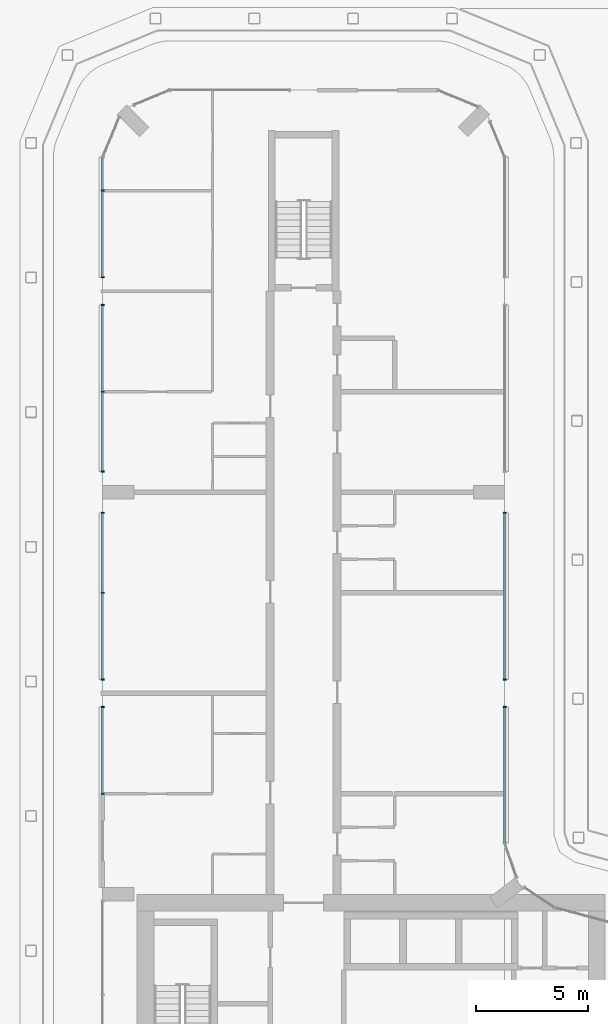
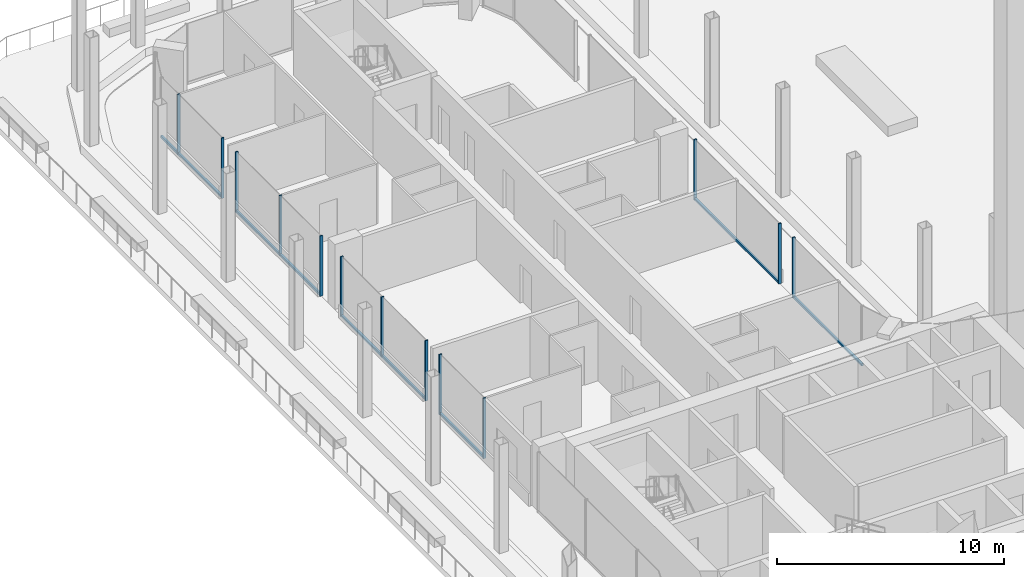
# One storey, part 11 of 33: 19 members, 6 elements without a shape of their own.
"""IFC4 building model written with IfcOpenShell, lengths in metres."""

from ifc_helpers import new_model, si_unit, direction, frame, origin, origin_2d, place, context, subcontext, project, spatial, rectangle, extrude, material, layer, layer_set, material_profile, profile_set, type_object, element, aggregate, save


model = new_model("IFC4")

# Units and contexts
model_context = context("Model", 3, precision=1e-05, world=origin(), true_north=direction((0.0, 1.0)))
body_context = subcontext(model_context, "Body", "Model", "MODEL_VIEW")
ifc_project = project(units=[si_unit("LENGTHUNIT", "METRE"), si_unit("AREAUNIT", "SQUARE_METRE"), si_unit("VOLUMEUNIT", "CUBIC_METRE"), si_unit("PLANEANGLEUNIT", "RADIAN"), si_unit("MASSUNIT", "GRAM", prefix="KILO")], contexts=[model_context])

# Site, building, storey
site_placement = place(None, origin())
site = spatial("IfcSite", under=ifc_project, at=site_placement, CompositionType="ELEMENT")
building_placement = place(site_placement, origin())
building = spatial("IfcBuilding", under=site, at=building_placement, Name="Plateau Cross Towers", CompositionType="ELEMENT")
storey_placement = place(building_placement, frame((0.0, 0.0, 26.800048828125)))
storey = spatial("IfcBuildingStorey", under=building, at=storey_placement, Name="L05", CompositionType="ELEMENT", Elevation=26.800048828125)

# Curtain wall, member
ifc_material_1 = material(Name="Dark low-iron glass", Category="glass")
ifc_layer = layer(ifc_material_1, 0.239990234375)
ifc_layer_set = layer_set([ifc_layer], Name="Dark low-iron glass")
curtain_wall_type = type_object("IfcCurtainWallType", Name="Curtain wall flush unitised CW-B", PredefinedType="NOTDEFINED", material=ifc_layer_set)
curtain_wall_1_placement = place(storey_placement, origin())
curtain_wall_1 = element("IfcCurtainWall", 1, at=curtain_wall_1_placement, inside=storey, type_object=curtain_wall_type, Name="ENV/A/L05/A180_203", PredefinedType="NOTDEFINED")
ifc_material_2 = material(Name="Black anodised aluminium", Category="aluminium")
ifc_material_profile_1 = material_profile(ifc_material_2, rectangle(XDim=0.06005859375, YDim=0.139892578125, at=origin_2d()), Name="MULLION 60x140")
ifc_profile_set_1 = profile_set([ifc_material_profile_1], Name="Black anodised aluminium")
member_type_1 = type_object("IfcMemberType", Name="Mullion 60x140 flush unitised", PredefinedType="MULLION", material=ifc_profile_set_1)
member_1_placement = place(storey_placement, frame((18.0, 26.3798828125, 0.0), z_axis=(0.0, 0.0, 1.0), x_axis=(0.0, 1.0, 0.0)))
member_1 = element("IfcMember", 2, at=member_1_placement, type_object=member_type_1, Name="CW-B mullion 2", PredefinedType="MULLION", context=body_context, shape_type="SweptSolid", body=[
    extrude(rectangle(XDim=0.06005859375, YDim=0.139892578125, at=origin_2d()), origin(), (0.0, 0.0, 1.0), 3.25),
])

# Curtain wall, members
curtain_wall_2_placement = place(storey_placement, origin())
curtain_wall_2 = element("IfcCurtainWall", 3, at=curtain_wall_2_placement, inside=storey, type_object=curtain_wall_type, Name="ENV/A/L05/A180_276", PredefinedType="NOTDEFINED")
member_2_placement = place(storey_placement, frame((18.0, 27.6201171875, 0.0), z_axis=(0.0, 0.0, 1.0), x_axis=(0.0, 1.0, 0.0)))
member_2 = element("IfcMember", 4, at=member_2_placement, type_object=member_type_1, Name="CW-B mullion 1", PredefinedType="MULLION", context=body_context, shape_type="SweptSolid", body=[
    extrude(rectangle(XDim=0.06005859375, YDim=0.139892578125, at=origin_2d()), origin(), (0.0, 0.0, 1.0), 3.25),
])
member_3_placement = place(storey_placement, frame((18.0, 35.080078125, 0.0), z_axis=(0.0, 0.0, 1.0), x_axis=(0.0, 1.0, 0.0)))
member_3 = element("IfcMember", 5, at=member_3_placement, type_object=member_type_1, Name="CW-B mullion 2", PredefinedType="MULLION", context=body_context, shape_type="SweptSolid", body=[
    extrude(rectangle(XDim=0.06005859375, YDim=0.139892578125, at=origin_2d()), origin(), (0.0, 0.0, 1.0), 3.25),
])

curtain_wall_3_placement = place(storey_placement, origin())
curtain_wall_3 = element("IfcCurtainWall", 6, at=curtain_wall_3_placement, inside=storey, type_object=curtain_wall_type, Name="ENV/A/L05/A0_510", PredefinedType="NOTDEFINED")
member_4_placement = place(storey_placement, frame((0.0, 49.5, 0.0), z_axis=(0.0, 0.0, 1.0), x_axis=(0.0, -1.0, 0.0)))
member_4 = element("IfcMember", 7, at=member_4_placement, type_object=member_type_1, Name="CW-B mullion 2", PredefinedType="MULLION", context=body_context, shape_type="SweptSolid", body=[
    extrude(rectangle(XDim=0.06005859375, YDim=0.139892578125, at=origin_2d()), origin(), (0.0, 0.0, 1.0), 3.25),
])
member_5_placement = place(storey_placement, frame((0.0, 45.6201171875, 0.0), z_axis=(0.0, 0.0, 1.0), x_axis=(0.0, -1.0, 0.0)))
member_5 = element("IfcMember", 8, at=member_5_placement, type_object=member_type_1, Name="CW-B mullion 3", PredefinedType="MULLION", context=body_context, shape_type="SweptSolid", body=[
    extrude(rectangle(XDim=0.06005859375, YDim=0.139892578125, at=origin_2d()), origin(), (0.0, 0.0, 1.0), 3.25),
])

curtain_wall_4_placement = place(storey_placement, origin())
curtain_wall_4 = element("IfcCurtainWall", 9, at=curtain_wall_4_placement, inside=storey, type_object=curtain_wall_type, Name="ENV/A/L05/A0_444", PredefinedType="NOTDEFINED")
member_6_placement = place(storey_placement, frame((0.0, 44.3798828125, 0.0), z_axis=(0.0, 0.0, 1.0), x_axis=(0.0, -1.0, 0.0)))
member_6 = element("IfcMember", 10, at=member_6_placement, type_object=member_type_1, Name="CW-B mullion 1", PredefinedType="MULLION", context=body_context, shape_type="SweptSolid", body=[
    extrude(rectangle(XDim=0.06005859375, YDim=0.139892578125, at=origin_2d()), origin(), (0.0, 0.0, 1.0), 3.25),
])
member_7_placement = place(storey_placement, frame((0.0, 40.5, 0.0), z_axis=(0.0, 0.0, 1.0), x_axis=(0.0, -1.0, 0.0)))
member_7 = element("IfcMember", 11, at=member_7_placement, type_object=member_type_1, Name="CW-B mullion 2", PredefinedType="MULLION", context=body_context, shape_type="SweptSolid", body=[
    extrude(rectangle(XDim=0.06005859375, YDim=0.139892578125, at=origin_2d()), origin(), (0.0, 0.0, 1.0), 3.25),
])
member_8_placement = place(storey_placement, frame((0.0, 36.919921875, 0.0), z_axis=(0.0, 0.0, 1.0), x_axis=(0.0, -1.0, 0.0)))
member_8 = element("IfcMember", 12, at=member_8_placement, type_object=member_type_1, Name="CW-B mullion 3", PredefinedType="MULLION", context=body_context, shape_type="SweptSolid", body=[
    extrude(rectangle(XDim=0.06005859375, YDim=0.139892578125, at=origin_2d()), origin(), (0.0, 0.0, 1.0), 3.25),
])

curtain_wall_5_placement = place(storey_placement, origin())
curtain_wall_5 = element("IfcCurtainWall", 13, at=curtain_wall_5_placement, inside=storey, type_object=curtain_wall_type, Name="ENV/A/L05/A0_351", PredefinedType="NOTDEFINED")
member_9_placement = place(storey_placement, frame((0.0, 35.080078125, 0.0), z_axis=(0.0, 0.0, 1.0), x_axis=(0.0, -1.0, 0.0)))
member_9 = element("IfcMember", 14, at=member_9_placement, type_object=member_type_1, Name="CW-B mullion 1", PredefinedType="MULLION", context=body_context, shape_type="SweptSolid", body=[
    extrude(rectangle(XDim=0.06005859375, YDim=0.139892578125, at=origin_2d()), origin(), (0.0, 0.0, 1.0), 3.25),
])
member_10_placement = place(storey_placement, frame((0.0, 31.5, 0.0), z_axis=(0.0, 0.0, 1.0), x_axis=(0.0, -1.0, 0.0)))
member_10 = element("IfcMember", 15, at=member_10_placement, type_object=member_type_1, Name="CW-B mullion 2", PredefinedType="MULLION", context=body_context, shape_type="SweptSolid", body=[
    extrude(rectangle(XDim=0.06005859375, YDim=0.139892578125, at=origin_2d()), origin(), (0.0, 0.0, 1.0), 3.25),
])
member_11_placement = place(storey_placement, frame((0.0, 27.6201171875, 0.0), z_axis=(0.0, 0.0, 1.0), x_axis=(0.0, -1.0, 0.0)))
member_11 = element("IfcMember", 16, at=member_11_placement, type_object=member_type_1, Name="CW-B mullion 3", PredefinedType="MULLION", context=body_context, shape_type="SweptSolid", body=[
    extrude(rectangle(XDim=0.06005859375, YDim=0.139892578125, at=origin_2d()), origin(), (0.0, 0.0, 1.0), 3.25),
])

curtain_wall_6_placement = place(storey_placement, origin())
curtain_wall_6 = element("IfcCurtainWall", 17, at=curtain_wall_6_placement, inside=storey, type_object=curtain_wall_type, Name="ENV/A/L05/A0_264", PredefinedType="NOTDEFINED")
member_12_placement = place(storey_placement, frame((0.0, 26.3798828125, 0.0), z_axis=(0.0, 0.0, 1.0), x_axis=(0.0, -1.0, 0.0)))
member_12 = element("IfcMember", 18, at=member_12_placement, type_object=member_type_1, Name="CW-B mullion 1", PredefinedType="MULLION", context=body_context, shape_type="SweptSolid", body=[
    extrude(rectangle(XDim=0.06005859375, YDim=0.139892578125, at=origin_2d()), origin(), (0.0, 0.0, 1.0), 3.25),
])
member_13_placement = place(storey_placement, frame((0.0, 22.5, 0.0), z_axis=(0.0, 0.0, 1.0), x_axis=(0.0, -1.0, 0.0)))
member_13 = element("IfcMember", 19, at=member_13_placement, type_object=member_type_1, Name="CW-B mullion 2", PredefinedType="MULLION", context=body_context, shape_type="SweptSolid", body=[
    extrude(rectangle(XDim=0.06005859375, YDim=0.139892578125, at=origin_2d()), origin(), (0.0, 0.0, 1.0), 3.25),
])

# Member
ifc_material_profile_2 = material_profile(ifc_material_2, rectangle(XDim=0.10009765625, YDim=0.1201171875, at=origin_2d()), Name="TRANSOM 100x120")
ifc_profile_set_2 = profile_set([ifc_material_profile_2], Name="Black anodised aluminium")
member_type_2 = type_object("IfcMemberType", Name="Transom 100x120 flush unitised", PredefinedType="USERDEFINED", material=ifc_profile_set_2)
member_14_placement = place(storey_placement, frame((18.0, 20.30224609375, 0.06005859375), z_axis=(0.0, 1.0, 0.0), x_axis=(-1.0, 0.0, 0.0)))
member_14 = element("IfcMember", 20, at=member_14_placement, type_object=member_type_2, Name="CW-B transom", ObjectType="TRANSOM", PredefinedType="USERDEFINED", context=body_context, shape_type="SweptSolid", body=[
    extrude(rectangle(XDim=0.10009765625, YDim=0.1201171875, at=origin_2d()), origin(), (0.0, 0.0, 1.0), 6.07763671875),
])

aggregate(curtain_wall_1, [member_1, member_14])

member_15_placement = place(storey_placement, frame((18.0, 27.6201171875, 0.06005859375), z_axis=(0.0, 1.0, 0.0), x_axis=(-1.0, 0.0, 0.0)))
member_15 = element("IfcMember", 21, at=member_15_placement, type_object=member_type_2, Name="CW-B transom", ObjectType="TRANSOM", PredefinedType="USERDEFINED", context=body_context, shape_type="SweptSolid", body=[
    extrude(rectangle(XDim=0.10009765625, YDim=0.1201171875, at=origin_2d()), origin(), (0.0, 0.0, 1.0), 7.4599609375),
])

aggregate(curtain_wall_2, [member_2, member_3, member_15])

member_16_placement = place(storey_placement, frame((0.0, 51.0, 0.06005859375), z_axis=(0.0, -1.0, 0.0), x_axis=(1.0, 0.0, 0.0)))
member_16 = element("IfcMember", 22, at=member_16_placement, type_object=member_type_2, Name="CW-B transom", ObjectType="TRANSOM", PredefinedType="USERDEFINED", context=body_context, shape_type="SweptSolid", body=[
    extrude(rectangle(XDim=0.10009765625, YDim=0.1201171875, at=origin_2d()), origin(), (0.0, 0.0, 1.0), 5.3798828125),
])

aggregate(curtain_wall_3, [member_4, member_5, member_16])

member_17_placement = place(storey_placement, frame((0.0, 44.3798828125, 0.06005859375), z_axis=(0.0, -1.0, 0.0), x_axis=(1.0, 0.0, 0.0)))
member_17 = element("IfcMember", 23, at=member_17_placement, type_object=member_type_2, Name="CW-B transom", ObjectType="TRANSOM", PredefinedType="USERDEFINED", context=body_context, shape_type="SweptSolid", body=[
    extrude(rectangle(XDim=0.10009765625, YDim=0.1201171875, at=origin_2d()), origin(), (0.0, 0.0, 1.0), 7.4599609375),
])

aggregate(curtain_wall_4, [member_6, member_7, member_8, member_17])

member_18_placement = place(storey_placement, frame((0.0, 35.080078125, 0.06005859375), z_axis=(0.0, -1.0, 0.0), x_axis=(1.0, 0.0, 0.0)))
member_18 = element("IfcMember", 24, at=member_18_placement, type_object=member_type_2, Name="CW-B transom", ObjectType="TRANSOM", PredefinedType="USERDEFINED", context=body_context, shape_type="SweptSolid", body=[
    extrude(rectangle(XDim=0.10009765625, YDim=0.1201171875, at=origin_2d()), origin(), (0.0, 0.0, 1.0), 7.4599609375),
])

aggregate(curtain_wall_5, [member_9, member_10, member_11, member_18])

member_19_placement = place(storey_placement, frame((0.0, 26.3798828125, 0.06005859375), z_axis=(0.0, -1.0, 0.0), x_axis=(1.0, 0.0, 0.0)))
member_19 = element("IfcMember", 25, at=member_19_placement, type_object=member_type_2, Name="CW-B transom", ObjectType="TRANSOM", PredefinedType="USERDEFINED", context=body_context, shape_type="SweptSolid", body=[
    extrude(rectangle(XDim=0.10009765625, YDim=0.1201171875, at=origin_2d()), origin(), (0.0, 0.0, 1.0), 3.8798828125),
])

aggregate(curtain_wall_6, [member_12, member_13, member_19])

save(model, "model.ifc")
